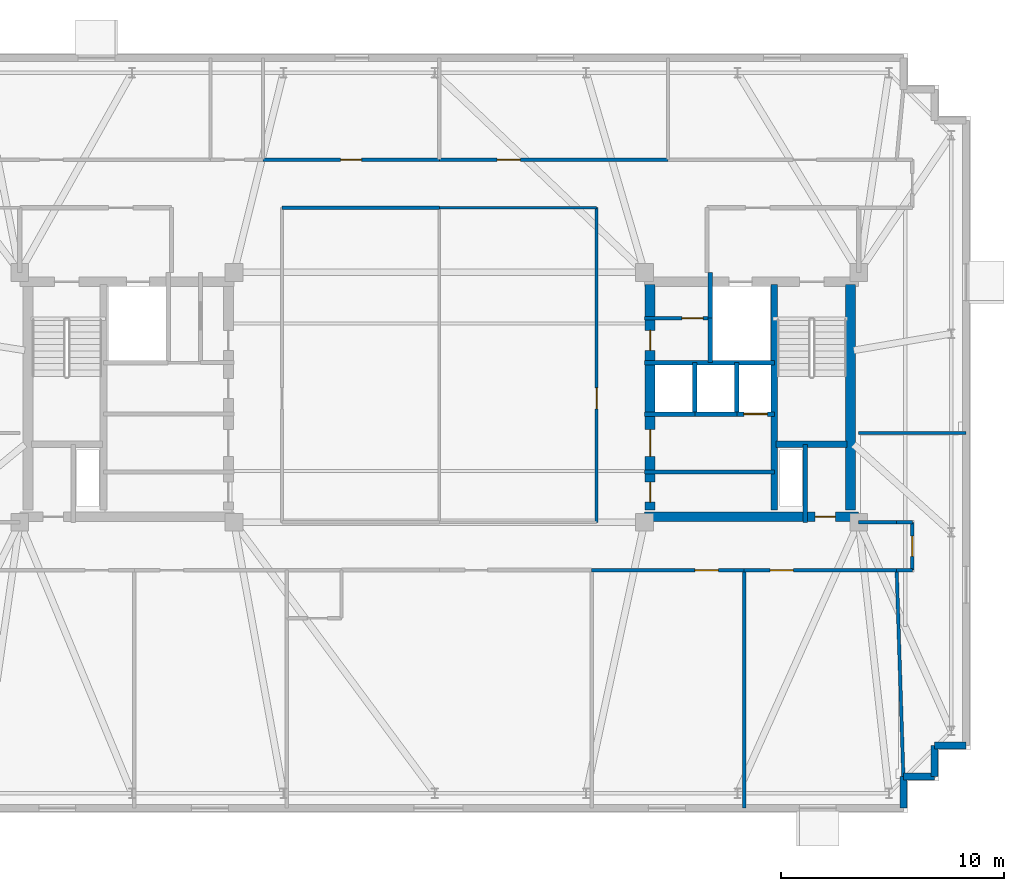
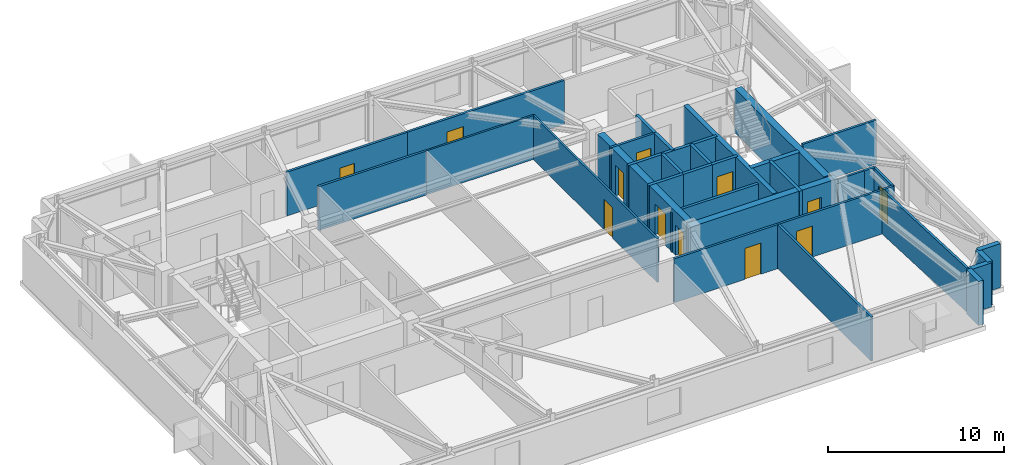
# One storey, part 7 of 10: 34 walls, 12 doors, 12 openings.
"""IFC4 building model written with IfcOpenShell, lengths in metres."""

import ifcopenshell
import ifcopenshell.guid

model = None  # the IFC model being written
_history = None  # IfcOwnerHistory: only IFC2X3 demands one
_inside = {}  # id of a spatial element -> (the spatial element, [elements in it])
_under = {}  # id of a project, library or spatial element -> (it, [spatial elements below it])
_declared = {}  # id of a project -> (the project, [libraries it declares])
_typed = {}  # id of a type object -> (the type object, [elements of that type])
_made_of = {}  # id of a material, layer set ... -> (it, [elements and type objects made of it])


def new_model(schema):
    """Start an empty IFC model of exactly this schema.

    Asked for "IFC4X3", IfcOpenShell would pick the latest addendum, in which some entities
    have other attributes; the version numbers below select the first issue.
    IFC2X3 requires an IfcOwnerHistory on every rooted entity: one is made here for all.
    """
    global model, _history
    if schema == "IFC4X3":
        model = ifcopenshell.file(schema_version=(4, 3, 0, 0))
    else:
        model = ifcopenshell.file(schema=schema)
    _inside.clear()
    _under.clear()
    _declared.clear()
    _typed.clear()
    _made_of.clear()
    _history = None
    if model.schema == "IFC2X3":
        org = make("IfcOrganization", Name="unknown")
        user = make(
            "IfcPersonAndOrganization",
            ThePerson=make("IfcPerson", FamilyName="unknown"),
            TheOrganization=org,
        )
        app = make(
            "IfcApplication",
            ApplicationDeveloper=org,
            Version="unknown",
            ApplicationFullName="unknown",
            ApplicationIdentifier="unknown",
        )
        _history = make(
            "IfcOwnerHistory",
            OwningUser=user,
            OwningApplication=app,
            ChangeAction="ADDED",
            CreationDate=0,
        )
    return model


def make(cls, **values):
    """One entity of the class cls with the attributes given. An attribute that is None is left unset."""
    return model.create_entity(
        cls, **{name: value for name, value in values.items() if value is not None}
    )


def rooted(cls, **values):
    """An entity with a GlobalId (a new one), such as an element, a storey or a relation."""
    return make(cls, GlobalId=ifcopenshell.guid.new(), OwnerHistory=_history, **values)


def si_unit(unit_type, name, prefix=None):
    """IfcSIUnit, for example si_unit("LENGTHUNIT", "METRE", prefix="MILLI")."""
    return make("IfcSIUnit", UnitType=unit_type, Prefix=prefix, Name=name)


def assignment(units):
    """IfcUnitAssignment: the units of a project."""
    return None if units is None else make("IfcUnitAssignment", Units=units)


def point(xyz):
    """IfcCartesianPoint."""
    return None if xyz is None else make("IfcCartesianPoint", Coordinates=xyz)


def direction(xyz):
    """IfcDirection."""
    return None if xyz is None else make("IfcDirection", DirectionRatios=xyz)


def frame(location, z_axis=None, x_axis=None):
    """IfcAxis2Placement3D, a coordinate frame: its origin and axes. An axis left out is left unset."""
    return make(
        "IfcAxis2Placement3D",
        Location=point(location),
        Axis=direction(z_axis),
        RefDirection=direction(x_axis),
    )


def frame_2d(location, x_axis=None):
    """IfcAxis2Placement2D, a coordinate frame in the plane: its origin and x axis."""
    return make(
        "IfcAxis2Placement2D", Location=point(location), RefDirection=direction(x_axis)
    )


def origin():
    """The frame at (0, 0, 0) with its axes left unset."""
    return frame((0.0, 0.0, 0.0))


def place(relative_to, where):
    """IfcLocalPlacement: puts the frame where relative to a parent placement (None: the world)."""
    return make(
        "IfcLocalPlacement", PlacementRelTo=relative_to, RelativePlacement=where
    )


def context(
    kind, dimensions, precision=None, world=None, true_north=None, identifier=None
):
    """IfcGeometricRepresentationContext, for example the 3D "Model" context."""
    return make(
        "IfcGeometricRepresentationContext",
        ContextIdentifier=identifier,
        ContextType=kind,
        CoordinateSpaceDimension=dimensions,
        Precision=precision,
        WorldCoordinateSystem=world,
        TrueNorth=true_north,
    )


def subcontext(parent, identifier, kind, view, scale=None):
    """IfcGeometricRepresentationSubContext, for example "Body" below "Model"."""
    return make(
        "IfcGeometricRepresentationSubContext",
        ContextIdentifier=identifier,
        ContextType=kind,
        ParentContext=parent,
        TargetScale=scale,
        TargetView=view,
    )


def project(units=None, contexts=None):
    """IfcProject with its units and contexts."""
    return rooted(
        "IfcProject",
        Name="project",
        RepresentationContexts=contexts,
        UnitsInContext=assignment(units),
    )


def spatial(cls, under=None, at=None, **own):
    """A site, building, storey or space (cls), placed at a placement, below another one or the project."""
    s = rooted(cls, ObjectPlacement=at, **own)
    if under is not None:
        _under.setdefault(under.id(), (under, []))[1].append(s)
    return s


def profile(cls, at=None, kind="AREA", **sizes):
    """A parametric profile (cls). Its sizes go by their IFC names, for example OverallWidth=200.0."""
    return make(cls, ProfileType=kind, Position=at, **sizes)


def rectangle(**sizes):
    """IfcRectangleProfileDef."""
    return profile("IfcRectangleProfileDef", **sizes)


def extrude(swept, where, along, depth):
    """IfcExtrudedAreaSolid: the profile swept, set in the frame where, extruded along a direction by depth."""
    return make(
        "IfcExtrudedAreaSolid",
        SweptArea=swept,
        Position=where,
        ExtrudedDirection=direction(along),
        Depth=depth,
    )


def shape(context_of_items, identifier, shape_type, items):
    """IfcShapeRepresentation: the items that make up one representation, for example the "Body"."""
    return make(
        "IfcShapeRepresentation",
        ContextOfItems=context_of_items,
        RepresentationIdentifier=identifier,
        RepresentationType=shape_type,
        Items=items,
    )


def material(Name=None, Category=None):
    """IfcMaterial."""
    return make("IfcMaterial", Name=Name, Category=Category)


def layer(
    of_material, thickness, ventilated=None, Name=None, Category=None, Priority=None
):
    """IfcMaterialLayer: one layer of a wall or slab, of a material (None: an air gap)."""
    return make(
        "IfcMaterialLayer",
        Material=of_material,
        LayerThickness=thickness,
        IsVentilated=ventilated,
        Name=Name,
        Category=Category,
        Priority=Priority,
    )


def layer_set(layers, Name=None):
    """IfcMaterialLayerSet."""
    return make("IfcMaterialLayerSet", MaterialLayers=layers, LayerSetName=Name)


def made_of(thing, what):
    """Note that an element or type object is made of a material, layer set ...; save() writes the relation."""
    if what is not None:
        _made_of.setdefault(what.id(), (what, []))[1].append(thing)
    return thing


def type_object(cls, material=None, **own):
    """A type object (cls), such as IfcWallType, which elements share."""
    return made_of(rooted(cls, **own), material)


def element(
    cls,
    number,
    at=None,
    inside=None,
    cuts=None,
    type_object=None,
    material=None,
    context=None,
    identifier="Body",
    shape_type=None,
    held_by="IfcProductDefinitionShape",
    body=None,
    shapes=None,
    **own,
):
    """One element of the class cls, such as IfcWall. Its Tag is "e" and its number.

    at: its placement. inside: the storey or other place that contains it. cuts: it is an
    opening in that element (IfcRelVoidsElement). A single representation is given by context,
    identifier, shape_type and body (its items); several are given by shapes. held_by: the class
    of the entity that holds the representations. save() writes the other relations.
    """
    e = rooted(cls, Tag="e%d" % number, ObjectPlacement=at, **own)
    if body is not None:
        shapes = [shape(context, identifier, shape_type, body)]
    if shapes is not None:
        e.Representation = make(held_by, Representations=shapes)
    if inside is not None:
        _inside.setdefault(inside.id(), (inside, []))[1].append(e)
    if cuts is not None:
        rooted(
            "IfcRelVoidsElement", RelatingBuildingElement=cuts, RelatedOpeningElement=e
        )
    if type_object is not None:
        _typed.setdefault(type_object.id(), (type_object, []))[1].append(e)
    return made_of(e, material)


def fill(opening, filler):
    """IfcRelFillsElement: the door or window that sits in an opening."""
    return rooted(
        "IfcRelFillsElement",
        RelatingOpeningElement=opening,
        RelatedBuildingElement=filler,
    )


def aggregate(whole, parts):
    """IfcRelAggregates: a whole, such as a stair, and the parts it consists of."""
    return rooted("IfcRelAggregates", RelatingObject=whole, RelatedObjects=parts)


def save(model, path):
    """Write the relations noted so far, then the file.

    IfcRelAggregates (storeys below a building ...), IfcRelContainedInSpatialStructure (elements
    in a storey), IfcRelDefinesByType, IfcRelAssociatesMaterial and IfcRelDeclares: one each for
    every whole, place, type object, material and project.
    """
    for whole, parts in _under.values():
        aggregate(whole, parts)
    for where, things in _inside.values():
        rooted(
            "IfcRelContainedInSpatialStructure",
            RelatedElements=things,
            RelatingStructure=where,
        )
    for kind, things in _typed.values():
        rooted("IfcRelDefinesByType", RelatedObjects=things, RelatingType=kind)
    for what, things in _made_of.values():
        rooted("IfcRelAssociatesMaterial", RelatedObjects=things, RelatingMaterial=what)
    for by, libraries in _declared.values():
        rooted("IfcRelDeclares", RelatingContext=by, RelatedDefinitions=libraries)
    model.write(path)


model = new_model("IFC4")

# Units and contexts
model_context = context("Model", 3, precision=1e-05, world=origin(), true_north=direction((0.0, 1.0)))
body_context = subcontext(model_context, "Body", "Model", "MODEL_VIEW")
ifc_project = project(units=[si_unit("LENGTHUNIT", "METRE"), si_unit("AREAUNIT", "SQUARE_METRE"), si_unit("VOLUMEUNIT", "CUBIC_METRE"), si_unit("PLANEANGLEUNIT", "RADIAN"), si_unit("MASSUNIT", "GRAM", prefix="KILO")], contexts=[model_context])

# Site, building, storey
site_placement = place(None, origin())
site = spatial("IfcSite", under=ifc_project, at=site_placement, CompositionType="ELEMENT")
building_placement = place(site_placement, origin())
building = spatial("IfcBuilding", under=site, at=building_placement, Name="Qobustan Lattice House", CompositionType="ELEMENT")
storey_placement = place(building_placement, frame((0.0, 0.0, 235.0)))
storey = spatial("IfcBuildingStorey", under=building, at=storey_placement, Name="L66", CompositionType="ELEMENT", Elevation=235.0)

# Wall, opening, door
ifc_material_1 = material(Name="Concrete C50/60", Category="concrete")
ifc_layer_1 = layer(ifc_material_1, 0.43994140625)
ifc_layer_set_1 = layer_set([ifc_layer_1], Name="Concrete C50/60")
wall_type_1 = type_object("IfcWallType", Name="WAL-CORE-440", PredefinedType="SHEAR", material=ifc_layer_set_1)
wall_1_placement = place(storey_placement, frame((9.199951171875, -5.35009765625, 0.0), z_axis=(0.0, 0.0, 1.0), x_axis=(1.0, 0.0, 0.0)))
wall_1 = element("IfcWall", 1, at=wall_1_placement, inside=storey, type_object=wall_type_1, Name="L66 split-core shear wall CE-S", PredefinedType="SHEAR", context=body_context, shape_type="SweptSolid", body=[
    extrude(rectangle(XDim=9.60009765625, YDim=0.43994140625, at=frame_2d((4.800048828125, 0.0))), origin(), (0.0, 0.0, 1.0), 3.0400390625),
])
opening_1_placement = place(wall_1_placement, frame((7.64990234375, 0.0, 0.0)))
opening_1 = element("IfcOpeningElement", 2, at=opening_1_placement, cuts=wall_1, Name="Opening RD-01", PredefinedType="OPENING", context=body_context, shape_type="SweptSolid", body=[
    extrude(rectangle(XDim=0.89990234375, YDim=2.10009765625, at=frame_2d((0.449951171875, 1.050048828125))), frame((0.0, 0.22998046875, 0.0), z_axis=(0.0, -1.0, 0.0), x_axis=(1.0, 0.0, 0.0)), (0.0, 0.0, 1.0), 0.4599609375),
])
ifc_material_2 = material(Name="Persian walnut timber and steel frame door", Category="steel")
door_type_1 = type_object("IfcDoorType", Name="DOR-RISER-FD-900x2100", OperationType="NOTDEFINED", PredefinedType="DOOR", material=ifc_material_2)
door_1_placement = place(opening_1_placement, origin())
door_1 = element("IfcDoor", 3, at=door_1_placement, inside=storey, type_object=door_type_1, Name="L66 core service riser access door E", OperationType="SINGLE_SWING_LEFT", OverallHeight=2.10009765625, OverallWidth=0.89990234375, PredefinedType="DOOR", context=body_context, shape_type="SweptSolid", body=[
    extrude(rectangle(XDim=0.89990234375, YDim=2.10009765625, at=frame_2d((0.449951171875, 1.050048828125))), frame((0.0, 0.02490234375, 0.0), z_axis=(0.0, -1.0, 0.0), x_axis=(1.0, 0.0, 0.0)), (0.0, 0.0, 1.0), 0.050048828125),
])
fill(opening_1, door_1)

# Wall, openings, doors
wall_2_placement = place(storey_placement, frame((9.449951171875, -5.050048828125, 0.0), z_axis=(0.0, 0.0, 1.0), x_axis=(0.0, 1.0, 0.0)))
wall_2 = element("IfcWall", 4, at=wall_2_placement, inside=storey, type_object=wall_type_1, Name="L66 split-core shear wall CE-W", PredefinedType="SHEAR", context=body_context, shape_type="SweptSolid", body=[
    extrude(rectangle(XDim=10.10009765625, YDim=0.43994140625, at=frame_2d((5.050048828125, 0.0))), origin(), (0.0, 0.0, 1.0), 3.0400390625),
])
opening_2_placement = place(wall_2_placement, frame((7.14990234375, 0.0, 0.0)))
opening_2 = element("IfcOpeningElement", 5, at=opening_2_placement, cuts=wall_2, Name="Opening RD-01", PredefinedType="OPENING", context=body_context, shape_type="SweptSolid", body=[
    extrude(rectangle(XDim=0.89990234375, YDim=2.10009765625, at=frame_2d((0.449951171875, 1.050048828125))), frame((0.0, 0.22998046875, 0.0), z_axis=(0.0, -1.0, 0.0), x_axis=(1.0, 0.0, 0.0)), (0.0, 0.0, 1.0), 0.4599609375),
])
opening_3_placement = place(wall_2_placement, frame((2.39990234375, 0.0, 0.0)))
opening_3 = element("IfcOpeningElement", 6, at=opening_3_placement, cuts=wall_2, Name="Opening FD-01", PredefinedType="OPENING", context=body_context, shape_type="SweptSolid", body=[
    extrude(rectangle(XDim=1.199951171875, YDim=2.14990234375, at=frame_2d((0.60009765625, 1.074951171875))), frame((0.0, 0.22998046875, 0.0), z_axis=(0.0, -1.0, 0.0), x_axis=(1.0, 0.0, 0.0)), (0.0, 0.0, 1.0), 0.4599609375),
])
opening_4_placement = place(wall_2_placement, frame((0.35009765625, 0.0, 0.0)))
opening_4 = element("IfcOpeningElement", 7, at=opening_4_placement, cuts=wall_2, Name="Opening RD-01", PredefinedType="OPENING", context=body_context, shape_type="SweptSolid", body=[
    extrude(rectangle(XDim=0.89990234375, YDim=2.10009765625, at=frame_2d((0.449951171875, 1.050048828125))), frame((0.0, 0.22998046875, 0.0), z_axis=(0.0, -1.0, 0.0), x_axis=(1.0, 0.0, 0.0)), (0.0, 0.0, 1.0), 0.4599609375),
])
ifc_material_3 = material(Name="Persian walnut timber and steel frame door", Category="steel")
door_type_2 = type_object("IfcDoorType", Name="DOR-LOBBY-FD-1200x2150", OperationType="NOTDEFINED", PredefinedType="DOOR", material=ifc_material_3)
door_2_placement = place(opening_3_placement, origin())
door_2 = element("IfcDoor", 8, at=door_2_placement, inside=storey, type_object=door_type_2, Name="L66 East passenger lift lobby fire door", OperationType="SINGLE_SWING_LEFT", OverallHeight=2.14990234375, OverallWidth=1.199951171875, PredefinedType="DOOR", context=body_context, shape_type="SweptSolid", body=[
    extrude(rectangle(XDim=1.199951171875, YDim=2.14990234375, at=frame_2d((0.60009765625, 1.074951171875))), frame((0.0, 0.02490234375, 0.0), z_axis=(0.0, -1.0, 0.0), x_axis=(1.0, 0.0, 0.0)), (0.0, 0.0, 1.0), 0.050048828125),
])
fill(opening_3, door_2)
door_3_placement = place(opening_2_placement, origin())
door_3 = element("IfcDoor", 9, at=door_3_placement, inside=storey, type_object=door_type_1, Name="L66 Housekeeping utility foyer fire door", OperationType="SINGLE_SWING_RIGHT", OverallHeight=2.10009765625, OverallWidth=0.89990234375, PredefinedType="DOOR", context=body_context, shape_type="SweptSolid", body=[
    extrude(rectangle(XDim=0.89990234375, YDim=2.10009765625, at=frame_2d((0.449951171875, 1.050048828125))), frame((0.0, 0.02490234375, 0.0), z_axis=(0.0, -1.0, 0.0), x_axis=(1.0, 0.0, 0.0)), (0.0, 0.0, 1.0), 0.050048828125),
])
fill(opening_2, door_3)
door_4_placement = place(opening_4_placement, origin())
door_4 = element("IfcDoor", 10, at=door_4_placement, inside=storey, type_object=door_type_1, Name="L66 Graduate seminar alcove fire door", OperationType="SINGLE_SWING_RIGHT", OverallHeight=2.10009765625, OverallWidth=0.89990234375, PredefinedType="DOOR", context=body_context, shape_type="SweptSolid", body=[
    extrude(rectangle(XDim=0.89990234375, YDim=2.10009765625, at=frame_2d((0.449951171875, 1.050048828125))), frame((0.0, 0.02490234375, 0.0), z_axis=(0.0, -1.0, 0.0), x_axis=(1.0, 0.0, 0.0)), (0.0, 0.0, 1.0), 0.050048828125),
])
fill(opening_4, door_4)

# Walls
wall_3_placement = place(storey_placement, frame((18.429931640625, -5.050048828125, 0.0), z_axis=(0.0, 0.0, 1.0), x_axis=(0.0, 1.0, 0.0)))
element("IfcWall", 11, at=wall_3_placement, inside=storey, type_object=wall_type_1, Name="L66 split-core shear wall CE-E", PredefinedType="SHEAR", context=body_context, shape_type="SweptSolid", body=[
    extrude(rectangle(XDim=10.10009765625, YDim=0.43994140625, at=frame_2d((5.050048828125, 0.0))), origin(), (0.0, 0.0, 1.0), 3.0400390625),
])
ifc_material_4 = material(Name="Concrete C50/60", Category="concrete")
ifc_layer_2 = layer(ifc_material_4, 0.280029296875)
ifc_layer_set_2 = layer_set([ifc_layer_2], Name="Concrete C50/60")
wall_type_2 = type_object("IfcWallType", Name="WAL-CORE-SPINE-280", PredefinedType="SHEAR", material=ifc_layer_set_2)
wall_4_placement = place(storey_placement, frame((15.02001953125, -5.050048828125, 0.0), z_axis=(0.0, 0.0, 1.0), x_axis=(0.0, 1.0, 0.0)))
element("IfcWall", 12, at=wall_4_placement, inside=storey, type_object=wall_type_2, Name="L66 split-core shear wall CE-M", PredefinedType="SHEAR", context=body_context, shape_type="SweptSolid", body=[
    extrude(rectangle(XDim=10.10009765625, YDim=0.300048828125, at=frame_2d((5.050048828125, 0.0))), origin(), (0.0, 0.0, 1.0), 3.0400390625),
])
wall_5_placement = place(storey_placement, frame((15.10009765625, -2.110107421875, 0.0), z_axis=(0.0, 0.0, 1.0), x_axis=(1.0, 0.0, 0.0)))
element("IfcWall", 13, at=wall_5_placement, inside=storey, type_object=wall_type_2, Name="L66 split-core shear wall CE-ST", PredefinedType="SHEAR", context=body_context, shape_type="SweptSolid", body=[
    extrude(rectangle(XDim=3.179931640625, YDim=0.300048828125, at=frame_2d((1.58984375, 0.0))), origin(), (0.0, 0.0, 1.0), 3.0400390625),
])
ifc_material_5 = material(Name="Precast concrete C40/50", Category="concrete")
ifc_layer_3 = layer(ifc_material_5, 0.320068359375)
ifc_layer_set_3 = layer_set([ifc_layer_3], Name="Precast concrete C40/50")
wall_type_3 = type_object("IfcWallType", Name="WAL-EXT-STONE-320", PredefinedType="SOLIDWALL", material=ifc_layer_set_3)
wall_6_placement = place(storey_placement, frame((23.60009765625, -15.60009765625, 0.0), z_axis=(0.0, 0.0, 1.0), x_axis=(-1.0, 0.0, 0.0)))
element("IfcWall", 14, at=wall_6_placement, inside=storey, type_object=wall_type_3, Name="L66 exterior limestone-clad wall 16", PredefinedType="SOLIDWALL", context=body_context, shape_type="SweptSolid", body=[
    extrude(rectangle(XDim=1.400146484375, YDim=0.320068359375, at=frame_2d((0.7001953125, 0.0))), origin(), (0.0, 0.0, 1.0), 3.0400390625),
])
for number, where, z_axis, x_axis, name in (
    (15, (22.199951171875, -15.60009765625, 0.0), (0.0, 0.0, 1.0), (0.0, -1.0, 0.0), "L66 exterior limestone-clad wall 17"),
    (16, (22.199951171875, -17.0, 0.0), (0.0, 0.0, 1.0), (-1.0, 0.0, 0.0), "L66 exterior limestone-clad wall 18"),
    (17, (20.800048828125, -17.0, 0.0), (0.0, 0.0, 1.0), (0.0, -1.0, 0.0), "L66 exterior limestone-clad wall 19"),
):
    element("IfcWall", number, at=place(storey_placement, frame(where, z_axis=z_axis, x_axis=x_axis)), inside=storey, type_object=wall_type_3, Name=name, PredefinedType="SOLIDWALL", context=body_context, shape_type="SweptSolid", body=[
        extrude(rectangle(XDim=1.39990234375, YDim=0.320068359375, at=frame_2d((0.699951171875, 0.0))), origin(), (0.0, 0.0, 1.0), 3.0400390625),
    ])
ifc_material_6 = material(Name="Gypsum fireboard acoustic partition", Category="gypsum")
ifc_layer_4 = layer(ifc_material_6, 0.179931640625)
ifc_layer_set_4 = layer_set([ifc_layer_4], Name="Gypsum fireboard acoustic partition")
wall_type_4 = type_object("IfcWallType", Name="WAL-FIRE-180", PredefinedType="PARTITIONING", material=ifc_layer_set_4)
wall_7_placement = place(storey_placement, frame((9.199951171875, -3.35009765625, 0.0), z_axis=(0.0, 0.0, 1.0), x_axis=(1.0, 0.0, 0.0)))
element("IfcWall", 18, at=wall_7_placement, inside=storey, type_object=wall_type_4, Name="L66 interior partition 23", PredefinedType="PARTITIONING", context=body_context, shape_type="SweptSolid", body=[
    extrude(rectangle(XDim=5.820068359375, YDim=0.179931640625, at=frame_2d((2.91015625, 0.0))), origin(), (0.0, 0.0, 1.0), 2.7548828125),
])
ifc_material_7 = material(Name="Lightweight acoustic stud partition", Category="gypsum")
ifc_layer_5 = layer(ifc_material_7, 0.125)
ifc_layer_set_5 = layer_set([ifc_layer_5], Name="Lightweight acoustic stud partition")
wall_type_5 = type_object("IfcWallType", Name="WAL-PART-125", PredefinedType="PARTITIONING", material=ifc_layer_set_5)
wall_8_placement = place(storey_placement, frame((7.050048828125, 8.5, 0.0), z_axis=(0.0, 0.0, 1.0), x_axis=(-1.0, 0.0, 0.0)))
element("IfcWall", 19, at=wall_8_placement, inside=storey, type_object=wall_type_5, Name="L66 interior partition 45", PredefinedType="PARTITIONING", context=body_context, shape_type="SweptSolid", body=[
    extrude(rectangle(XDim=7.050048828125, YDim=0.125, at=frame_2d((3.52490234375, 0.0))), origin(), (0.0, 0.0, 1.0), 3.0400390625),
])

# Wall, opening, door
wall_9_placement = place(storey_placement, frame((7.050048828125, -5.60009765625, 0.0), z_axis=(0.0, 0.0, 1.0), x_axis=(0.0, 1.0, 0.0)))
wall_9 = element("IfcWall", 20, at=wall_9_placement, inside=storey, type_object=wall_type_5, Name="L66 interior partition 64", PredefinedType="PARTITIONING", context=body_context, shape_type="SweptSolid", body=[
    extrude(rectangle(XDim=14.10009765625, YDim=0.125, at=frame_2d((7.050048828125, 0.0))), origin(), (0.0, 0.0, 1.0), 3.0400390625),
])
opening_5_placement = place(wall_9_placement, frame((5.076171875, 0.0, 0.0)))
opening_5 = element("IfcOpeningElement", 21, at=opening_5_placement, cuts=wall_9, Name="Opening ID-01", PredefinedType="OPENING", context=body_context, shape_type="SweptSolid", body=[
    extrude(rectangle(XDim=0.949951171875, YDim=2.10009765625, at=frame_2d((0.47509765625, 1.050048828125))), frame((0.0, 0.072509765625, 0.0), z_axis=(0.0, -1.0, 0.0), x_axis=(1.0, 0.0, 0.0)), (0.0, 0.0, 1.0), 0.14501953125),
])
ifc_material_8 = material(Name="Persian walnut timber and steel frame door", Category="steel")
door_type_3 = type_object("IfcDoorType", Name="DOR-ROOM-950x2100", OperationType="NOTDEFINED", PredefinedType="DOOR", material=ifc_material_8)
door_5_placement = place(opening_5_placement, origin())
door_5 = element("IfcDoor", 22, at=door_5_placement, inside=storey, type_object=door_type_3, Name="L66 East floor link corridor to Focus pod suite door", OperationType="SINGLE_SWING_RIGHT", OverallHeight=2.10009765625, OverallWidth=0.949951171875, PredefinedType="DOOR", context=body_context, shape_type="SweptSolid", body=[
    extrude(rectangle(XDim=0.949951171875, YDim=2.10009765625, at=frame_2d((0.47509765625, 1.050048828125))), frame((0.0, 0.02490234375, 0.0), z_axis=(0.0, -1.0, 0.0), x_axis=(1.0, 0.0, 0.0)), (0.0, 0.0, 1.0), 0.050048828125),
])
fill(opening_5, door_5)

ifc_material_9 = material(Name="Acoustic twin-stud gypsum partition", Category="gypsum")
ifc_layer_6 = layer(ifc_material_9, 0.14990234375)
ifc_layer_set_6 = layer_set([ifc_layer_6], Name="Acoustic twin-stud gypsum partition")
wall_type_6 = type_object("IfcWallType", Name="WAL-PART-150", PredefinedType="PARTITIONING", material=ifc_layer_set_6)
wall_10_placement = place(storey_placement, frame((12.14990234375, 3.550048828125, 0.0), z_axis=(0.0, 0.0, 1.0), x_axis=(-1.0, 0.0, 0.0)))
wall_10 = element("IfcWall", 23, at=wall_10_placement, inside=storey, type_object=wall_type_6, Name="L66 interior partition 21", PredefinedType="PARTITIONING", context=body_context, shape_type="SweptSolid", body=[
    extrude(rectangle(XDim=2.949951171875, YDim=0.14990234375, at=frame_2d((1.47509765625, 0.0))), origin(), (0.0, 0.0, 1.0), 3.0400390625),
])
opening_6_placement = place(wall_10_placement, frame((0.324951171875, 0.0, 0.0)))
opening_6 = element("IfcOpeningElement", 24, at=opening_6_placement, cuts=wall_10, Name="Opening ID-01", PredefinedType="OPENING", context=body_context, shape_type="SweptSolid", body=[
    extrude(rectangle(XDim=0.949951171875, YDim=2.10009765625, at=frame_2d((0.47509765625, 1.050048828125))), frame((0.0, 0.0849609375, 0.0), z_axis=(0.0, -1.0, 0.0), x_axis=(1.0, 0.0, 0.0)), (0.0, 0.0, 1.0), 0.169921875),
])
door_6_placement = place(opening_6_placement, origin())
door_6 = element("IfcDoor", 25, at=door_6_placement, inside=storey, type_object=door_type_3, Name="L66 Housekeeping utility foyer to Cleaner cupboard door", OperationType="SINGLE_SWING_LEFT", OverallHeight=2.10009765625, OverallWidth=0.949951171875, PredefinedType="DOOR", context=body_context, shape_type="SweptSolid", body=[
    extrude(rectangle(XDim=0.949951171875, YDim=2.10009765625, at=frame_2d((0.47509765625, 1.050048828125))), frame((0.0, 0.02490234375, 0.0), z_axis=(0.0, -1.0, 0.0), x_axis=(1.0, 0.0, 0.0)), (0.0, 0.0, 1.0), 0.050048828125),
])
fill(opening_6, door_6)

wall_11_placement = place(storey_placement, frame((-7.89990234375, 10.64990234375, 0.0), z_axis=(0.0, 0.0, 1.0), x_axis=(1.0, 0.0, 0.0)))
wall_11 = element("IfcWall", 26, at=wall_11_placement, inside=storey, type_object=wall_type_6, Name="L66 interior partition 37", PredefinedType="PARTITIONING", context=body_context, shape_type="SweptSolid", body=[
    extrude(rectangle(XDim=7.89990234375, YDim=0.14990234375, at=frame_2d((3.949951171875, 0.0))), origin(), (0.0, 0.0, 1.0), 3.0400390625),
])
opening_7_placement = place(wall_11_placement, frame((3.47509765625, 0.0, 0.0)))
opening_7 = element("IfcOpeningElement", 27, at=opening_7_placement, cuts=wall_11, Name="Opening ID-01", PredefinedType="OPENING", context=body_context, shape_type="SweptSolid", body=[
    extrude(rectangle(XDim=0.949951171875, YDim=2.10009765625, at=frame_2d((0.47509765625, 1.050048828125))), frame((0.0, 0.0849609375, 0.0), z_axis=(0.0, -1.0, 0.0), x_axis=(1.0, 0.0, 0.0)), (0.0, 0.0, 1.0), 0.169921875),
])
door_7_placement = place(opening_7_placement, origin())
door_7 = element("IfcDoor", 28, at=door_7_placement, inside=storey, type_object=door_type_3, Name="L66 North-west floor corridor to Laundry utility room door", OperationType="SINGLE_SWING_RIGHT", OverallHeight=2.10009765625, OverallWidth=0.949951171875, PredefinedType="DOOR", context=body_context, shape_type="SweptSolid", body=[
    extrude(rectangle(XDim=0.949951171875, YDim=2.10009765625, at=frame_2d((0.47509765625, 1.050048828125))), frame((0.0, 0.02490234375, 0.0), z_axis=(0.0, -1.0, 0.0), x_axis=(1.0, 0.0, 0.0)), (0.0, 0.0, 1.0), 0.050048828125),
])
fill(opening_7, door_7)

# Wall
wall_12_placement = place(storey_placement, frame((0.0, 8.5, 0.0), z_axis=(0.0, 0.0, 1.0), x_axis=(-1.0, 0.0, 0.0)))
element("IfcWall", 29, at=wall_12_placement, inside=storey, type_object=wall_type_6, Name="L66 interior partition 38", PredefinedType="PARTITIONING", context=body_context, shape_type="SweptSolid", body=[
    extrude(rectangle(XDim=7.050048828125, YDim=0.14990234375, at=frame_2d((3.52490234375, 0.0))), origin(), (0.0, 0.0, 1.0), 3.0400390625),
])

# Wall, opening, door
wall_13_placement = place(storey_placement, frame((0.0, 10.64990234375, 0.0), z_axis=(0.0, 0.0, 1.0), x_axis=(1.0, 0.0, 0.0)))
wall_13 = element("IfcWall", 30, at=wall_13_placement, inside=storey, type_object=wall_type_6, Name="L66 interior partition 43", PredefinedType="PARTITIONING", context=body_context, shape_type="SweptSolid", body=[
    extrude(rectangle(XDim=10.25, YDim=0.14990234375, at=frame_2d((5.125, 0.0))), origin(), (0.0, 0.0, 1.0), 3.0400390625),
])
opening_8_placement = place(wall_13_placement, frame((2.590087890625, 0.0, 0.0)))
opening_8 = element("IfcOpeningElement", 31, at=opening_8_placement, cuts=wall_13, Name="Opening ID-02", PredefinedType="OPENING", context=body_context, shape_type="SweptSolid", body=[
    extrude(rectangle(XDim=1.050048828125, YDim=2.14990234375, at=frame_2d((0.52490234375, 1.074951171875))), frame((0.0, 0.0849609375, 0.0), z_axis=(0.0, -1.0, 0.0), x_axis=(1.0, 0.0, 0.0)), (0.0, 0.0, 1.0), 0.169921875),
])
ifc_material_10 = material(Name="Persian walnut timber and steel frame door", Category="steel")
door_type_4 = type_object("IfcDoorType", Name="DOR-STUDY-1050x2150", OperationType="NOTDEFINED", PredefinedType="DOOR", material=ifc_material_10)
door_8_placement = place(opening_8_placement, origin())
door_8 = element("IfcDoor", 32, at=door_8_placement, inside=storey, type_object=door_type_4, Name="L66 North-east floor corridor to Focus study room N3 door", OperationType="SINGLE_SWING_RIGHT", OverallHeight=2.14990234375, OverallWidth=1.050048828125, PredefinedType="DOOR", context=body_context, shape_type="SweptSolid", body=[
    extrude(rectangle(XDim=1.050048828125, YDim=2.14990234375, at=frame_2d((0.52490234375, 1.074951171875))), frame((0.0, 0.02490234375, 0.0), z_axis=(0.0, -1.0, 0.0), x_axis=(1.0, 0.0, 0.0)), (0.0, 0.0, 1.0), 0.050048828125),
])
fill(opening_8, door_8)

wall_14_placement = place(storey_placement, frame((21.199951171875, -5.60009765625, 0.0), z_axis=(0.0, 0.0, 1.0), x_axis=(0.0, -1.0, 0.0)))
wall_14 = element("IfcWall", 33, at=wall_14_placement, inside=storey, type_object=wall_type_6, Name="L66 interior partition 55", PredefinedType="PARTITIONING", context=body_context, shape_type="SweptSolid", body=[
    extrude(rectangle(XDim=2.14990234375, YDim=0.14990234375, at=frame_2d((1.074951171875, 0.0))), origin(), (0.0, 0.0, 1.0), 3.0400390625),
])
opening_9_placement = place(wall_14_placement, frame((0.625, 0.0, 0.0)))
opening_9 = element("IfcOpeningElement", 34, at=opening_9_placement, cuts=wall_14, Name="Opening WD-01", PredefinedType="OPENING", context=body_context, shape_type="SweptSolid", body=[
    extrude(rectangle(XDim=0.89990234375, YDim=2.10009765625, at=frame_2d((0.449951171875, 1.050048828125))), frame((0.0, 0.0849609375, 0.0), z_axis=(0.0, -1.0, 0.0), x_axis=(1.0, 0.0, 0.0)), (0.0, 0.0, 1.0), 0.169921875),
])
ifc_material_11 = material(Name="Persian walnut timber and steel frame door", Category="steel")
door_type_5 = type_object("IfcDoorType", Name="DOR-WET-900x2100", OperationType="NOTDEFINED", PredefinedType="DOOR", material=ifc_material_11)
door_9_placement = place(opening_9_placement, origin())
door_9 = element("IfcDoor", 35, at=door_9_placement, inside=storey, type_object=door_type_5, Name="L66 South-east floor corridor to Fellows reading room door", OperationType="SINGLE_SWING_LEFT", OverallHeight=2.10009765625, OverallWidth=0.89990234375, PredefinedType="DOOR", context=body_context, shape_type="SweptSolid", body=[
    extrude(rectangle(XDim=0.89990234375, YDim=2.10009765625, at=frame_2d((0.449951171875, 1.050048828125))), frame((0.0, 0.02490234375, 0.0), z_axis=(0.0, -1.0, 0.0), x_axis=(1.0, 0.0, 0.0)), (0.0, 0.0, 1.0), 0.050048828125),
])
fill(opening_9, door_9)

# Walls
wall_15_placement = place(storey_placement, frame((18.800048828125, -5.60009765625, 0.0), z_axis=(0.0, 0.0, 1.0), x_axis=(1.0, 0.0, 0.0)))
element("IfcWall", 36, at=wall_15_placement, inside=storey, type_object=wall_type_6, Name="L66 interior partition 56", PredefinedType="PARTITIONING", context=body_context, shape_type="SweptSolid", body=[
    extrude(rectangle(XDim=1.699951171875, YDim=0.14990234375, at=frame_2d((0.85009765625, 0.0))), origin(), (0.0, 0.0, 1.0), 3.0400390625),
])
for number, where, z_axis, x_axis, name in (
    (37, (20.5, -5.60009765625, 0.0), (0.0, 0.0, 1.0), (1.0, 0.0, 0.0), "L66 interior partition 57"),
    (38, (21.199951171875, -7.75, 0.0), (0.0, 0.0, 1.0), (-1.0, 0.0, 0.0), "L66 interior partition 58"),
):
    element("IfcWall", number, at=place(storey_placement, frame(where, z_axis=z_axis, x_axis=x_axis)), inside=storey, type_object=wall_type_6, Name=name, PredefinedType="PARTITIONING", context=body_context, shape_type="SweptSolid", body=[
        extrude(rectangle(XDim=0.699951171875, YDim=0.14990234375, at=frame_2d((0.35009765625, 0.0))), origin(), (0.0, 0.0, 1.0), 3.0400390625),
    ])

# Wall, opening, door
wall_16_placement = place(storey_placement, frame((13.66650390625, -7.75, 0.0), z_axis=(0.0, 0.0, 1.0), x_axis=(-1.0, 0.0, 0.0)))
wall_16 = element("IfcWall", 39, at=wall_16_placement, inside=storey, type_object=wall_type_6, Name="L66 interior partition 60", PredefinedType="PARTITIONING", context=body_context, shape_type="SweptSolid", body=[
    extrude(rectangle(XDim=6.83349609375, YDim=0.14990234375, at=frame_2d((3.416748046875, 0.0))), origin(), (0.0, 0.0, 1.0), 3.0400390625),
])
opening_10_placement = place(wall_16_placement, frame((1.157958984375, 0.0, 0.0)))
opening_10 = element("IfcOpeningElement", 40, at=opening_10_placement, cuts=wall_16, Name="Opening ID-02", PredefinedType="OPENING", context=body_context, shape_type="SweptSolid", body=[
    extrude(rectangle(XDim=1.050048828125, YDim=2.14990234375, at=frame_2d((0.52490234375, 1.074951171875))), frame((0.0, 0.0849609375, 0.0), z_axis=(0.0, -1.0, 0.0), x_axis=(1.0, 0.0, 0.0)), (0.0, 0.0, 1.0), 0.169921875),
])
door_10_placement = place(opening_10_placement, origin())
door_10 = element("IfcDoor", 41, at=door_10_placement, inside=storey, type_object=door_type_4, Name="L66 South-east floor corridor to Group study room door", OperationType="SINGLE_SWING_LEFT", OverallHeight=2.14990234375, OverallWidth=1.050048828125, PredefinedType="DOOR", context=body_context, shape_type="SweptSolid", body=[
    extrude(rectangle(XDim=1.050048828125, YDim=2.14990234375, at=frame_2d((0.52490234375, 1.074951171875))), frame((0.0, 0.02490234375, 0.0), z_axis=(0.0, -1.0, 0.0), x_axis=(1.0, 0.0, 0.0)), (0.0, 0.0, 1.0), 0.050048828125),
])
fill(opening_10, door_10)

wall_17_placement = place(storey_placement, frame((20.5, -7.75, 0.0), z_axis=(0.0, 0.0, 1.0), x_axis=(-1.0, 0.0, 0.0)))
wall_17 = element("IfcWall", 42, at=wall_17_placement, inside=storey, type_object=wall_type_6, Name="L66 interior partition 61", PredefinedType="PARTITIONING", context=body_context, shape_type="SweptSolid", body=[
    extrude(rectangle(XDim=6.83349609375, YDim=0.14990234375, at=frame_2d((3.416748046875, 0.0))), origin(), (0.0, 0.0, 1.0), 3.0400390625),
])
opening_11_placement = place(wall_17_placement, frame((4.62548828125, 0.0, 0.0)))
opening_11 = element("IfcOpeningElement", 43, at=opening_11_placement, cuts=wall_17, Name="Opening ID-02", PredefinedType="OPENING", context=body_context, shape_type="SweptSolid", body=[
    extrude(rectangle(XDim=1.050048828125, YDim=2.14990234375, at=frame_2d((0.52490234375, 1.074951171875))), frame((0.0, 0.0849609375, 0.0), z_axis=(0.0, -1.0, 0.0), x_axis=(1.0, 0.0, 0.0)), (0.0, 0.0, 1.0), 0.169921875),
])
door_11_placement = place(opening_11_placement, origin())
door_11 = element("IfcDoor", 44, at=door_11_placement, inside=storey, type_object=door_type_4, Name="L66 South-east floor corridor to Academic seminar room door", OperationType="SINGLE_SWING_RIGHT", OverallHeight=2.14990234375, OverallWidth=1.050048828125, PredefinedType="DOOR", context=body_context, shape_type="SweptSolid", body=[
    extrude(rectangle(XDim=1.050048828125, YDim=2.14990234375, at=frame_2d((0.52490234375, 1.074951171875))), frame((0.0, 0.02490234375, 0.0), z_axis=(0.0, -1.0, 0.0), x_axis=(1.0, 0.0, 0.0)), (0.0, 0.0, 1.0), 0.050048828125),
])
fill(opening_11, door_11)

# Walls
wall_18_placement = place(storey_placement, frame((18.800048828125, -1.60009765625, 0.0), z_axis=(0.0, 0.0, 1.0), x_axis=(1.0, 0.0, 0.0)))
element("IfcWall", 45, at=wall_18_placement, inside=storey, type_object=wall_type_6, Name="L66 interior partition 68", PredefinedType="PARTITIONING", context=body_context, shape_type="SweptSolid", body=[
    extrude(rectangle(XDim=4.800048828125, YDim=0.14990234375, at=frame_2d((2.39990234375, 0.0))), origin(), (0.0, 0.0, 1.0), 3.0400390625),
])
wall_19_placement = place(storey_placement, frame((20.800048828125, -17.0, 0.0), z_axis=(0.0, 0.0, 1.0), x_axis=(-0.032420659042, 0.99947431226, 0.0)))
element("IfcWall", 46, at=wall_19_placement, inside=storey, type_object=wall_type_6, Name="L66 interior partition 69", PredefinedType="PARTITIONING", context=body_context, shape_type="SweptSolid", body=[
    extrude(rectangle(XDim=9.2548828125, YDim=0.14990234375, at=frame_2d((4.62744140625, 0.0))), origin(), (0.0, 0.0, 1.0), 3.0400390625),
])
wall_20_placement = place(storey_placement, frame((13.66650390625, -7.75, 0.0), z_axis=(0.0, 0.0, 1.0), x_axis=(0.0, -1.0, 0.0)))
element("IfcWall", 47, at=wall_20_placement, inside=storey, type_object=wall_type_6, Name="L66 interior partition 81", PredefinedType="PARTITIONING", context=body_context, shape_type="SweptSolid", body=[
    extrude(rectangle(XDim=10.64990234375, YDim=0.14990234375, at=frame_2d((5.324951171875, 0.0))), origin(), (0.0, 0.0, 1.0), 3.0400390625),
])
ifc_material_12 = material(Name="Concrete C40/50", Category="concrete")
ifc_layer_7 = layer(ifc_material_12, 0.199951171875)
ifc_layer_set_7 = layer_set([ifc_layer_7], Name="Concrete C40/50")
wall_type_7 = type_object("IfcWallType", Name="WAL-SHAFT-200", PredefinedType="PARTITIONING", material=ifc_layer_set_7)
wall_21_placement = place(storey_placement, frame((16.39990234375, -2.110107421875, 0.0), z_axis=(0.0, 0.0, 1.0), x_axis=(0.0, -1.0, 0.0)))
element("IfcWall", 48, at=wall_21_placement, inside=storey, type_object=wall_type_7, Name="L66 interior partition 15", PredefinedType="PARTITIONING", context=body_context, shape_type="SweptSolid", body=[
    extrude(rectangle(XDim=3.489990234375, YDim=0.199951171875, at=frame_2d((1.7451171875, 0.0))), origin(), (0.0, 0.0, 1.0), 3.0400390625),
])
wall_22_placement = place(storey_placement, frame((12.14990234375, 3.550048828125, 0.0), z_axis=(0.0, 0.0, 1.0), x_axis=(0.0, -1.0, 0.0)))
element("IfcWall", 49, at=wall_22_placement, inside=storey, type_object=wall_type_7, Name="L66 interior partition 16", PredefinedType="PARTITIONING", context=body_context, shape_type="SweptSolid", body=[
    extrude(rectangle(XDim=2.0, YDim=0.199951171875, at=frame_2d((1.0, 0.0))), origin(), (0.0, 0.0, 1.0), 3.0400390625),
])
wall_23_placement = place(storey_placement, frame((12.14990234375, 5.60009765625, 0.0), z_axis=(0.0, 0.0, 1.0), x_axis=(0.0, -1.0, 0.0)))
element("IfcWall", 50, at=wall_23_placement, inside=storey, type_object=wall_type_7, Name="L66 interior partition 17", PredefinedType="PARTITIONING", context=body_context, shape_type="SweptSolid", body=[
    extrude(rectangle(XDim=2.050048828125, YDim=0.199951171875, at=frame_2d((1.02490234375, 0.0))), origin(), (0.0, 0.0, 1.0), 3.0400390625),
])
wall_24_placement = place(storey_placement, frame((11.4599609375, -0.75, 0.0), z_axis=(0.0, 0.0, 1.0), x_axis=(-1.0, 0.0, 0.0)))
element("IfcWall", 51, at=wall_24_placement, inside=storey, type_object=wall_type_7, Name="L66 interior partition 24", PredefinedType="PARTITIONING", context=body_context, shape_type="SweptSolid", body=[
    extrude(rectangle(XDim=2.260009765625, YDim=0.199951171875, at=frame_2d((1.1298828125, 0.0))), origin(), (0.0, 0.0, 1.0), 3.0400390625),
])
wall_25_placement = place(storey_placement, frame((13.340087890625, -0.75, 0.0), z_axis=(0.0, 0.0, 1.0), x_axis=(-1.0, 0.0, 0.0)))
element("IfcWall", 52, at=wall_25_placement, inside=storey, type_object=wall_type_7, Name="L66 interior partition 25", PredefinedType="PARTITIONING", context=body_context, shape_type="SweptSolid", body=[
    extrude(rectangle(XDim=1.880126953125, YDim=0.199951171875, at=frame_2d((0.93994140625, 0.0))), origin(), (0.0, 0.0, 1.0), 3.0400390625),
])

# Wall, opening, door
wall_26_placement = place(storey_placement, frame((15.02001953125, -0.75, 0.0), z_axis=(0.0, 0.0, 1.0), x_axis=(-1.0, 0.0, 0.0)))
wall_26 = element("IfcWall", 53, at=wall_26_placement, inside=storey, type_object=wall_type_7, Name="L66 interior partition 26", PredefinedType="PARTITIONING", context=body_context, shape_type="SweptSolid", body=[
    extrude(rectangle(XDim=1.679931640625, YDim=0.199951171875, at=frame_2d((0.83984375, 0.0))), origin(), (0.0, 0.0, 1.0), 3.0400390625),
])
opening_12_placement = place(wall_26_placement, frame((0.31494140625, 0.0, 0.0)))
opening_12 = element("IfcOpeningElement", 54, at=opening_12_placement, cuts=wall_26, Name="Opening LD-01", PredefinedType="OPENING", context=body_context, shape_type="SweptSolid", body=[
    extrude(rectangle(XDim=1.050048828125, YDim=2.10009765625, at=frame_2d((0.52490234375, 1.050048828125))), frame((0.0, 0.10986328125, 0.0), z_axis=(0.0, -1.0, 0.0), x_axis=(1.0, 0.0, 0.0)), (0.0, 0.0, 1.0), 0.219970703125),
])
ifc_material_13 = material(Name="Persian walnut timber and steel frame door", Category="steel")
door_type_6 = type_object("IfcDoorType", Name="DOR-LIFT-LD-1050x2100", OperationType="NOTDEFINED", PredefinedType="DOOR", material=ifc_material_13)
door_12_placement = place(opening_12_placement, origin())
door_12 = element("IfcDoor", 55, at=door_12_placement, inside=storey, type_object=door_type_6, Name="L66 lift landing door", OperationType="DOUBLE_DOOR_SLIDING", OverallHeight=2.10009765625, OverallWidth=1.050048828125, PredefinedType="DOOR", context=body_context, shape_type="SweptSolid", body=[
    extrude(rectangle(XDim=1.050048828125, YDim=2.10009765625, at=frame_2d((0.52490234375, 1.050048828125))), frame((0.0, 0.02490234375, 0.0), z_axis=(0.0, -1.0, 0.0), x_axis=(1.0, 0.0, 0.0)), (0.0, 0.0, 1.0), 0.050048828125),
])
fill(opening_12, door_12)

# Walls
for number, where, z_axis, x_axis, name in (
    (56, (11.4599609375, -0.75, 0.0), (0.0, 0.0, 1.0), (0.0, 1.0, 0.0), "L66 interior partition 29"),
    (57, (13.340087890625, -0.75, 0.0), (0.0, 0.0, 1.0), (0.0, 1.0, 0.0), "L66 interior partition 30"),
):
    element("IfcWall", number, at=place(storey_placement, frame(where, z_axis=z_axis, x_axis=x_axis)), inside=storey, type_object=wall_type_7, Name=name, PredefinedType="PARTITIONING", context=body_context, shape_type="SweptSolid", body=[
        extrude(rectangle(XDim=2.300048828125, YDim=0.199951171875, at=frame_2d((1.14990234375, 0.0))), origin(), (0.0, 0.0, 1.0), 3.0400390625),
    ])
wall_27_placement = place(storey_placement, frame((9.199951171875, 1.550048828125, 0.0), z_axis=(0.0, 0.0, 1.0), x_axis=(1.0, 0.0, 0.0)))
element("IfcWall", 58, at=wall_27_placement, inside=storey, type_object=wall_type_7, Name="L66 interior partition 84", PredefinedType="PARTITIONING", context=body_context, shape_type="SweptSolid", body=[
    extrude(rectangle(XDim=5.820068359375, YDim=0.199951171875, at=frame_2d((2.91015625, 0.0))), origin(), (0.0, 0.0, 1.0), 3.0400390625),
])

save(model, "model.ifc")
